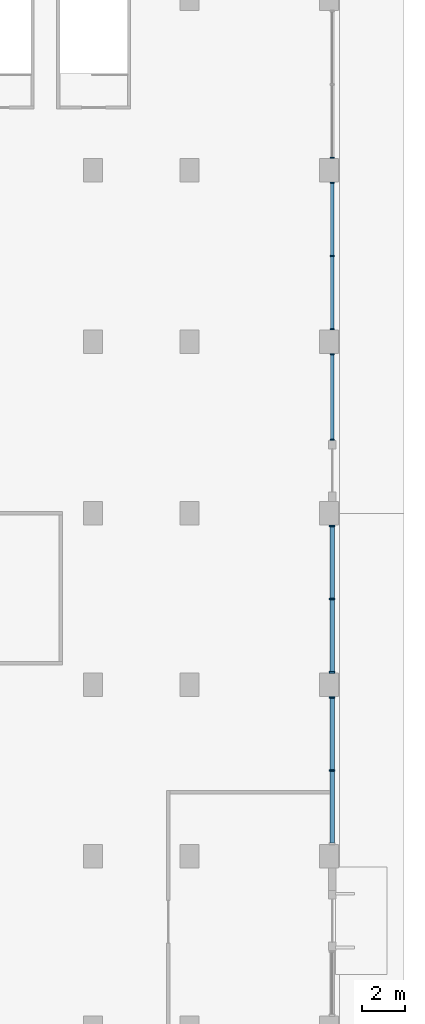
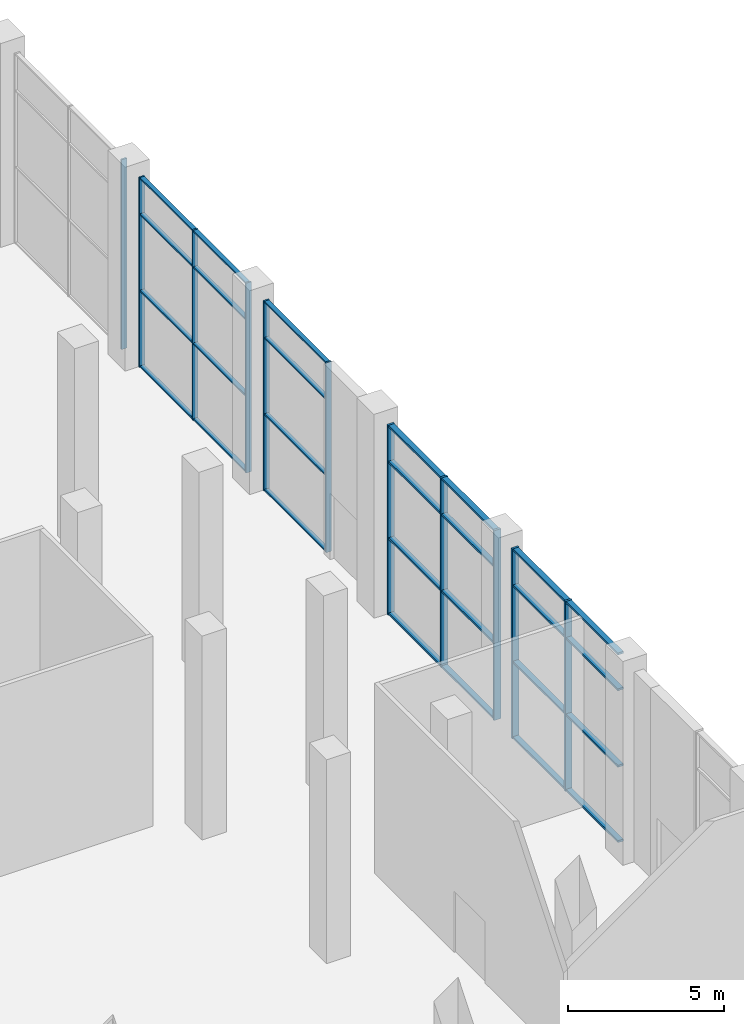
# One storey, part 7 of 33: 39 members, 5 elements without a shape of their own.
"""IFC4 building model written with IfcOpenShell, lengths in metres."""

from ifc_helpers import new_model, si_unit, direction, frame, origin, origin_2d, place, context, subcontext, project, spatial, rectangle, extrude, material, layer, layer_set, material_profile, profile_set, type_object, element, aggregate, save


model = new_model("IFC4")

# Units and contexts
model_context = context("Model", 3, precision=1e-05, world=origin(), true_north=direction((0.0, 1.0)))
body_context = subcontext(model_context, "Body", "Model", "MODEL_VIEW")
ifc_project = project(units=[si_unit("LENGTHUNIT", "METRE"), si_unit("AREAUNIT", "SQUARE_METRE"), si_unit("VOLUMEUNIT", "CUBIC_METRE"), si_unit("PLANEANGLEUNIT", "RADIAN"), si_unit("MASSUNIT", "GRAM", prefix="KILO")], contexts=[model_context])

# Site, building, storey
site_placement = place(None, origin())
site = spatial("IfcSite", under=ifc_project, at=site_placement, CompositionType="ELEMENT")
building_placement = place(site_placement, origin())
building = spatial("IfcBuilding", under=site, at=building_placement, Name="Alderwake Tower", CompositionType="ELEMENT")
storey_placement = place(building_placement, origin())
storey = spatial("IfcBuildingStorey", under=building, at=storey_placement, Name="L00", CompositionType="ELEMENT", Elevation=0.0)

# Curtain wall, members
ifc_material_1 = material(Name="Bronze tinted glass in aluminium frame", Category="aluminium")
ifc_layer_1 = layer(ifc_material_1, 0.25)
ifc_layer_set_1 = layer_set([ifc_layer_1], Name="Curtain wall CW1 podium shopfront")
curtain_wall_type_1 = type_object("IfcCurtainWallType", Name="Curtain wall CW1 podium shopfront", PredefinedType="NOTDEFINED", material=ifc_layer_set_1)
curtain_wall_1_placement = place(storey_placement, origin())
curtain_wall_1 = element("IfcCurtainWall", 1, at=curtain_wall_1_placement, inside=storey, type_object=curtain_wall_type_1, Name="Curtain wall 15", PredefinedType="NOTDEFINED")
ifc_material_2 = material(Name="Aluminium bronze anodised", Category="aluminium")
ifc_material_profile_1 = material_profile(ifc_material_2, rectangle(XDim=0.199951171875, YDim=0.06005859375, at=origin_2d()), Name="Mullion MUA 60x200")
ifc_profile_set_1 = profile_set([ifc_material_profile_1], Name="Aluminium bronze anodised")
member_type_1 = type_object("IfcMemberType", Name="Mullion MUA 60x200", PredefinedType="MULLION", material=ifc_profile_set_1)
member_1_placement = place(storey_placement, frame((84.64990234375, 83.429931640625, 0.0), z_axis=(0.0, 0.0, 1.0), x_axis=(-1.0, 0.0, 0.0)))
member_1 = element("IfcMember", 2, at=member_1_placement, type_object=member_type_1, Name="CW.15 mullion 1", PredefinedType="MULLION", context=body_context, shape_type="SweptSolid", body=[
    extrude(rectangle(XDim=0.199951171875, YDim=0.06005859375, at=origin_2d()), origin(), (0.0, 0.0, 1.0), 7.449951171875),
])
member_2_placement = place(storey_placement, frame((84.64990234375, 87.419921875, 0.0), z_axis=(0.0, 0.0, 1.0), x_axis=(-1.0, 0.0, 0.0)))
member_2 = element("IfcMember", 3, at=member_2_placement, type_object=member_type_1, Name="CW.15 mullion 2", PredefinedType="MULLION", context=body_context, shape_type="SweptSolid", body=[
    extrude(rectangle(XDim=0.199951171875, YDim=0.06005859375, at=origin_2d()), origin(), (0.0, 0.0, 1.0), 7.449951171875),
])

curtain_wall_2_placement = place(storey_placement, origin())
curtain_wall_2 = element("IfcCurtainWall", 4, at=curtain_wall_2_placement, inside=storey, type_object=curtain_wall_type_1, Name="Curtain wall 16", PredefinedType="NOTDEFINED")
member_3_placement = place(storey_placement, frame((84.64990234375, 88.580078125, 0.0), z_axis=(0.0, 0.0, 1.0), x_axis=(-1.0, 0.0, 0.0)))
member_3 = element("IfcMember", 5, at=member_3_placement, type_object=member_type_1, Name="CW.16 mullion 1", PredefinedType="MULLION", context=body_context, shape_type="SweptSolid", body=[
    extrude(rectangle(XDim=0.199951171875, YDim=0.06005859375, at=origin_2d()), origin(), (0.0, 0.0, 1.0), 7.449951171875),
])
member_4_placement = place(storey_placement, frame((84.64990234375, 92.0, 0.0), z_axis=(0.0, 0.0, 1.0), x_axis=(-1.0, 0.0, 0.0)))
member_4 = element("IfcMember", 6, at=member_4_placement, type_object=member_type_1, Name="CW.16 mullion 2", PredefinedType="MULLION", context=body_context, shape_type="SweptSolid", body=[
    extrude(rectangle(XDim=0.199951171875, YDim=0.06005859375, at=origin_2d()), origin(), (0.0, 0.0, 1.0), 7.449951171875),
])
member_5_placement = place(storey_placement, frame((84.64990234375, 95.419921875, 0.0), z_axis=(0.0, 0.0, 1.0), x_axis=(-1.0, 0.0, 0.0)))
member_5 = element("IfcMember", 7, at=member_5_placement, type_object=member_type_1, Name="CW.16 mullion 3", PredefinedType="MULLION", context=body_context, shape_type="SweptSolid", body=[
    extrude(rectangle(XDim=0.199951171875, YDim=0.06005859375, at=origin_2d()), origin(), (0.0, 0.0, 1.0), 7.449951171875),
])

# Curtain wall, member
curtain_wall_3_placement = place(storey_placement, origin())
curtain_wall_3 = element("IfcCurtainWall", 8, at=curtain_wall_3_placement, inside=storey, type_object=curtain_wall_type_1, Name="Curtain wall 17", PredefinedType="NOTDEFINED")
member_6_placement = place(storey_placement, frame((84.64990234375, 96.580078125, 0.0), z_axis=(0.0, 0.0, 1.0), x_axis=(-1.0, 0.0, 0.0)))
member_6 = element("IfcMember", 9, at=member_6_placement, type_object=member_type_1, Name="CW.17 mullion 1", PredefinedType="MULLION", context=body_context, shape_type="SweptSolid", body=[
    extrude(rectangle(XDim=0.199951171875, YDim=0.06005859375, at=origin_2d()), origin(), (0.0, 0.0, 1.0), 7.449951171875),
])
aggregate(curtain_wall_3, [member_6])

# Curtain wall, members
ifc_material_3 = material(Name="Bronze tinted glass in aluminium frame", Category="aluminium")
ifc_layer_2 = layer(ifc_material_3, 0.300048828125)
ifc_layer_set_2 = layer_set([ifc_layer_2], Name="Curtain wall CW2 station concourse wall")
curtain_wall_type_2 = type_object("IfcCurtainWallType", Name="Curtain wall CW2 station concourse wall", PredefinedType="NOTDEFINED", material=ifc_layer_set_2)
curtain_wall_4_placement = place(storey_placement, origin())
curtain_wall_4 = element("IfcCurtainWall", 10, at=curtain_wall_4_placement, inside=storey, type_object=curtain_wall_type_2, Name="Curtain wall 13", PredefinedType="NOTDEFINED")
ifc_material_4 = material(Name="Aluminium bronze anodised", Category="aluminium")
ifc_material_profile_2 = material_profile(ifc_material_4, rectangle(XDim=0.25, YDim=0.080078125, at=origin_2d()), Name="Mullion MUB 80x250")
ifc_profile_set_2 = profile_set([ifc_material_profile_2], Name="Aluminium bronze anodised")
member_type_2 = type_object("IfcMemberType", Name="Mullion MUB 80x250", PredefinedType="MULLION", material=ifc_profile_set_2)
member_7_placement = place(storey_placement, frame((84.64990234375, 68.0, 0.0), z_axis=(0.0, 0.0, 1.0), x_axis=(-1.0, 0.0, 0.0)))
member_7 = element("IfcMember", 11, at=member_7_placement, type_object=member_type_2, Name="CW.13 mullion 2", PredefinedType="MULLION", context=body_context, shape_type="SweptSolid", body=[
    extrude(rectangle(XDim=0.25, YDim=0.080078125, at=origin_2d()), origin(), (0.0, 0.0, 1.0), 7.449951171875),
])
member_8_placement = place(storey_placement, frame((84.64990234375, 71.409912109375, 0.0), z_axis=(0.0, 0.0, 1.0), x_axis=(-1.0, 0.0, 0.0)))
member_8 = element("IfcMember", 12, at=member_8_placement, type_object=member_type_2, Name="CW.13 mullion 3", PredefinedType="MULLION", context=body_context, shape_type="SweptSolid", body=[
    extrude(rectangle(XDim=0.25, YDim=0.080078125, at=origin_2d()), origin(), (0.0, 0.0, 1.0), 7.449951171875),
])

curtain_wall_5_placement = place(storey_placement, origin())
curtain_wall_5 = element("IfcCurtainWall", 13, at=curtain_wall_5_placement, inside=storey, type_object=curtain_wall_type_2, Name="Curtain wall 14", PredefinedType="NOTDEFINED")
member_9_placement = place(storey_placement, frame((84.64990234375, 72.590087890625, 0.0), z_axis=(0.0, 0.0, 1.0), x_axis=(-1.0, 0.0, 0.0)))
member_9 = element("IfcMember", 14, at=member_9_placement, type_object=member_type_2, Name="CW.14 mullion 1", PredefinedType="MULLION", context=body_context, shape_type="SweptSolid", body=[
    extrude(rectangle(XDim=0.25, YDim=0.080078125, at=origin_2d()), origin(), (0.0, 0.0, 1.0), 7.449951171875),
])
member_10_placement = place(storey_placement, frame((84.64990234375, 76.0, 0.0), z_axis=(0.0, 0.0, 1.0), x_axis=(-1.0, 0.0, 0.0)))
member_10 = element("IfcMember", 15, at=member_10_placement, type_object=member_type_2, Name="CW.14 mullion 2", PredefinedType="MULLION", context=body_context, shape_type="SweptSolid", body=[
    extrude(rectangle(XDim=0.25, YDim=0.080078125, at=origin_2d()), origin(), (0.0, 0.0, 1.0), 7.449951171875),
])
member_11_placement = place(storey_placement, frame((84.64990234375, 79.409912109375, 0.0), z_axis=(0.0, 0.0, 1.0), x_axis=(-1.0, 0.0, 0.0)))
member_11 = element("IfcMember", 16, at=member_11_placement, type_object=member_type_2, Name="CW.14 mullion 3", PredefinedType="MULLION", context=body_context, shape_type="SweptSolid", body=[
    extrude(rectangle(XDim=0.25, YDim=0.080078125, at=origin_2d()), origin(), (0.0, 0.0, 1.0), 7.449951171875),
])

# Member
ifc_material_5 = material(Name="Aluminium bronze anodised", Category="aluminium")
ifc_material_profile_3 = material_profile(ifc_material_5, rectangle(XDim=0.159912109375, YDim=0.06005859375, at=origin_2d()), Name="Transom TRA 60x160")
ifc_profile_set_3 = profile_set([ifc_material_profile_3], Name="Aluminium bronze anodised")
member_type_3 = type_object("IfcMemberType", Name="Transom TRA 60x160", PredefinedType="USERDEFINED", material=ifc_profile_set_3)
member_12_placement = place(storey_placement, frame((84.64990234375, 83.4599609375, 0.030029296875), z_axis=(0.0, 1.0, 0.0), x_axis=(-1.0, 0.0, 0.0)))
member_12 = element("IfcMember", 17, at=member_12_placement, type_object=member_type_3, Name="CW.15 transom 1.1", ObjectType="TRANSOM", PredefinedType="USERDEFINED", context=body_context, shape_type="SweptSolid", body=[
    extrude(rectangle(XDim=0.159912109375, YDim=0.06005859375, at=origin_2d()), origin(), (0.0, 0.0, 1.0), 3.929931640625),
])

member_13_placement = place(storey_placement, frame((84.64990234375, 83.4599609375, 3.0), z_axis=(0.0, 1.0, 0.0), x_axis=(-1.0, 0.0, 0.0)))
member_13 = element("IfcMember", 18, at=member_13_placement, type_object=member_type_3, Name="CW.15 transom 1.2", ObjectType="TRANSOM", PredefinedType="USERDEFINED", context=body_context, shape_type="SweptSolid", body=[
    extrude(rectangle(XDim=0.159912109375, YDim=0.06005859375, at=origin_2d()), origin(), (0.0, 0.0, 1.0), 3.929931640625),
])

member_14_placement = place(storey_placement, frame((84.64990234375, 83.4599609375, 6.0), z_axis=(0.0, 1.0, 0.0), x_axis=(-1.0, 0.0, 0.0)))
member_14 = element("IfcMember", 19, at=member_14_placement, type_object=member_type_3, Name="CW.15 transom 1.3", ObjectType="TRANSOM", PredefinedType="USERDEFINED", context=body_context, shape_type="SweptSolid", body=[
    extrude(rectangle(XDim=0.159912109375, YDim=0.06005859375, at=origin_2d()), origin(), (0.0, 0.0, 1.0), 3.929931640625),
])

member_15_placement = place(storey_placement, frame((84.64990234375, 83.4599609375, 7.419921875), z_axis=(0.0, 1.0, 0.0), x_axis=(-1.0, 0.0, 0.0)))
member_15 = element("IfcMember", 20, at=member_15_placement, type_object=member_type_3, Name="CW.15 transom 1.4", ObjectType="TRANSOM", PredefinedType="USERDEFINED", context=body_context, shape_type="SweptSolid", body=[
    extrude(rectangle(XDim=0.159912109375, YDim=0.06005859375, at=origin_2d()), origin(), (0.0, 0.0, 1.0), 3.929931640625),
])

aggregate(curtain_wall_1, [member_1, member_2, member_12, member_13, member_14, member_15])

member_16_placement = place(storey_placement, frame((84.64990234375, 88.610107421875, 0.030029296875), z_axis=(0.0, 1.0, 0.0), x_axis=(-1.0, 0.0, 0.0)))
member_16 = element("IfcMember", 21, at=member_16_placement, type_object=member_type_3, Name="CW.16 transom 1.1", ObjectType="TRANSOM", PredefinedType="USERDEFINED", context=body_context, shape_type="SweptSolid", body=[
    extrude(rectangle(XDim=0.159912109375, YDim=0.06005859375, at=origin_2d()), origin(), (0.0, 0.0, 1.0), 3.35986328125),
])

member_17_placement = place(storey_placement, frame((84.64990234375, 88.610107421875, 3.0), z_axis=(0.0, 1.0, 0.0), x_axis=(-1.0, 0.0, 0.0)))
member_17 = element("IfcMember", 22, at=member_17_placement, type_object=member_type_3, Name="CW.16 transom 1.2", ObjectType="TRANSOM", PredefinedType="USERDEFINED", context=body_context, shape_type="SweptSolid", body=[
    extrude(rectangle(XDim=0.159912109375, YDim=0.06005859375, at=origin_2d()), origin(), (0.0, 0.0, 1.0), 3.35986328125),
])

member_18_placement = place(storey_placement, frame((84.64990234375, 88.610107421875, 6.0), z_axis=(0.0, 1.0, 0.0), x_axis=(-1.0, 0.0, 0.0)))
member_18 = element("IfcMember", 23, at=member_18_placement, type_object=member_type_3, Name="CW.16 transom 1.3", ObjectType="TRANSOM", PredefinedType="USERDEFINED", context=body_context, shape_type="SweptSolid", body=[
    extrude(rectangle(XDim=0.159912109375, YDim=0.06005859375, at=origin_2d()), origin(), (0.0, 0.0, 1.0), 3.35986328125),
])

member_19_placement = place(storey_placement, frame((84.64990234375, 88.610107421875, 7.419921875), z_axis=(0.0, 1.0, 0.0), x_axis=(-1.0, 0.0, 0.0)))
member_19 = element("IfcMember", 24, at=member_19_placement, type_object=member_type_3, Name="CW.16 transom 1.4", ObjectType="TRANSOM", PredefinedType="USERDEFINED", context=body_context, shape_type="SweptSolid", body=[
    extrude(rectangle(XDim=0.159912109375, YDim=0.06005859375, at=origin_2d()), origin(), (0.0, 0.0, 1.0), 3.35986328125),
])

member_20_placement = place(storey_placement, frame((84.64990234375, 92.030029296875, 0.030029296875), z_axis=(0.0, 1.0, 0.0), x_axis=(-1.0, 0.0, 0.0)))
member_20 = element("IfcMember", 25, at=member_20_placement, type_object=member_type_3, Name="CW.16 transom 2.1", ObjectType="TRANSOM", PredefinedType="USERDEFINED", context=body_context, shape_type="SweptSolid", body=[
    extrude(rectangle(XDim=0.159912109375, YDim=0.06005859375, at=origin_2d()), origin(), (0.0, 0.0, 1.0), 3.35986328125),
])

member_21_placement = place(storey_placement, frame((84.64990234375, 92.030029296875, 3.0), z_axis=(0.0, 1.0, 0.0), x_axis=(-1.0, 0.0, 0.0)))
member_21 = element("IfcMember", 26, at=member_21_placement, type_object=member_type_3, Name="CW.16 transom 2.2", ObjectType="TRANSOM", PredefinedType="USERDEFINED", context=body_context, shape_type="SweptSolid", body=[
    extrude(rectangle(XDim=0.159912109375, YDim=0.06005859375, at=origin_2d()), origin(), (0.0, 0.0, 1.0), 3.35986328125),
])

member_22_placement = place(storey_placement, frame((84.64990234375, 92.030029296875, 6.0), z_axis=(0.0, 1.0, 0.0), x_axis=(-1.0, 0.0, 0.0)))
member_22 = element("IfcMember", 27, at=member_22_placement, type_object=member_type_3, Name="CW.16 transom 2.3", ObjectType="TRANSOM", PredefinedType="USERDEFINED", context=body_context, shape_type="SweptSolid", body=[
    extrude(rectangle(XDim=0.159912109375, YDim=0.06005859375, at=origin_2d()), origin(), (0.0, 0.0, 1.0), 3.35986328125),
])

member_23_placement = place(storey_placement, frame((84.64990234375, 92.030029296875, 7.419921875), z_axis=(0.0, 1.0, 0.0), x_axis=(-1.0, 0.0, 0.0)))
member_23 = element("IfcMember", 28, at=member_23_placement, type_object=member_type_3, Name="CW.16 transom 2.4", ObjectType="TRANSOM", PredefinedType="USERDEFINED", context=body_context, shape_type="SweptSolid", body=[
    extrude(rectangle(XDim=0.159912109375, YDim=0.06005859375, at=origin_2d()), origin(), (0.0, 0.0, 1.0), 3.35986328125),
])

aggregate(curtain_wall_2, [member_3, member_4, member_5, member_16, member_17, member_18, member_19, member_20, member_21, member_22, member_23])

ifc_material_6 = material(Name="Aluminium bronze anodised", Category="aluminium")
ifc_material_profile_4 = material_profile(ifc_material_6, rectangle(XDim=0.199951171875, YDim=0.080078125, at=origin_2d()), Name="Transom TRB 80x200")
ifc_profile_set_4 = profile_set([ifc_material_profile_4], Name="Aluminium bronze anodised")
member_type_4 = type_object("IfcMemberType", Name="Transom TRB 80x200", PredefinedType="USERDEFINED", material=ifc_profile_set_4)
member_24_placement = place(storey_placement, frame((84.64990234375, 64.6298828125, 0.0400390625), z_axis=(0.0, 1.0, 0.0), x_axis=(-1.0, 0.0, 0.0)))
member_24 = element("IfcMember", 29, at=member_24_placement, type_object=member_type_4, Name="CW.13 transom 1.1", ObjectType="TRANSOM", PredefinedType="USERDEFINED", context=body_context, shape_type="SweptSolid", body=[
    extrude(rectangle(XDim=0.199951171875, YDim=0.080078125, at=origin_2d()), origin(), (0.0, 0.0, 1.0), 3.330078125),
])

member_25_placement = place(storey_placement, frame((84.64990234375, 64.6298828125, 3.0), z_axis=(0.0, 1.0, 0.0), x_axis=(-1.0, 0.0, 0.0)))
member_25 = element("IfcMember", 30, at=member_25_placement, type_object=member_type_4, Name="CW.13 transom 1.2", ObjectType="TRANSOM", PredefinedType="USERDEFINED", context=body_context, shape_type="SweptSolid", body=[
    extrude(rectangle(XDim=0.199951171875, YDim=0.080078125, at=origin_2d()), origin(), (0.0, 0.0, 1.0), 3.330078125),
])

member_26_placement = place(storey_placement, frame((84.64990234375, 64.6298828125, 6.0), z_axis=(0.0, 1.0, 0.0), x_axis=(-1.0, 0.0, 0.0)))
member_26 = element("IfcMember", 31, at=member_26_placement, type_object=member_type_4, Name="CW.13 transom 1.3", ObjectType="TRANSOM", PredefinedType="USERDEFINED", context=body_context, shape_type="SweptSolid", body=[
    extrude(rectangle(XDim=0.199951171875, YDim=0.080078125, at=origin_2d()), origin(), (0.0, 0.0, 1.0), 3.330078125),
])

member_27_placement = place(storey_placement, frame((84.64990234375, 64.6298828125, 7.409912109375), z_axis=(0.0, 1.0, 0.0), x_axis=(-1.0, 0.0, 0.0)))
member_27 = element("IfcMember", 32, at=member_27_placement, type_object=member_type_4, Name="CW.13 transom 1.4", ObjectType="TRANSOM", PredefinedType="USERDEFINED", context=body_context, shape_type="SweptSolid", body=[
    extrude(rectangle(XDim=0.199951171875, YDim=0.080078125, at=origin_2d()), origin(), (0.0, 0.0, 1.0), 3.330078125),
])

member_28_placement = place(storey_placement, frame((84.64990234375, 68.0400390625, 0.0400390625), z_axis=(0.0, 1.0, 0.0), x_axis=(-1.0, 0.0, 0.0)))
member_28 = element("IfcMember", 33, at=member_28_placement, type_object=member_type_4, Name="CW.13 transom 2.1", ObjectType="TRANSOM", PredefinedType="USERDEFINED", context=body_context, shape_type="SweptSolid", body=[
    extrude(rectangle(XDim=0.199951171875, YDim=0.080078125, at=origin_2d()), origin(), (0.0, 0.0, 1.0), 3.330078125),
])

member_29_placement = place(storey_placement, frame((84.64990234375, 68.0400390625, 3.0), z_axis=(0.0, 1.0, 0.0), x_axis=(-1.0, 0.0, 0.0)))
member_29 = element("IfcMember", 34, at=member_29_placement, type_object=member_type_4, Name="CW.13 transom 2.2", ObjectType="TRANSOM", PredefinedType="USERDEFINED", context=body_context, shape_type="SweptSolid", body=[
    extrude(rectangle(XDim=0.199951171875, YDim=0.080078125, at=origin_2d()), origin(), (0.0, 0.0, 1.0), 3.330078125),
])

member_30_placement = place(storey_placement, frame((84.64990234375, 68.0400390625, 6.0), z_axis=(0.0, 1.0, 0.0), x_axis=(-1.0, 0.0, 0.0)))
member_30 = element("IfcMember", 35, at=member_30_placement, type_object=member_type_4, Name="CW.13 transom 2.3", ObjectType="TRANSOM", PredefinedType="USERDEFINED", context=body_context, shape_type="SweptSolid", body=[
    extrude(rectangle(XDim=0.199951171875, YDim=0.080078125, at=origin_2d()), origin(), (0.0, 0.0, 1.0), 3.330078125),
])

member_31_placement = place(storey_placement, frame((84.64990234375, 68.0400390625, 7.409912109375), z_axis=(0.0, 1.0, 0.0), x_axis=(-1.0, 0.0, 0.0)))
member_31 = element("IfcMember", 36, at=member_31_placement, type_object=member_type_4, Name="CW.13 transom 2.4", ObjectType="TRANSOM", PredefinedType="USERDEFINED", context=body_context, shape_type="SweptSolid", body=[
    extrude(rectangle(XDim=0.199951171875, YDim=0.080078125, at=origin_2d()), origin(), (0.0, 0.0, 1.0), 3.330078125),
])

aggregate(curtain_wall_4, [member_7, member_8, member_24, member_25, member_26, member_27, member_28, member_29, member_30, member_31])

member_32_placement = place(storey_placement, frame((84.64990234375, 72.6298828125, 0.0400390625), z_axis=(0.0, 1.0, 0.0), x_axis=(-1.0, 0.0, 0.0)))
member_32 = element("IfcMember", 37, at=member_32_placement, type_object=member_type_4, Name="CW.14 transom 1.1", ObjectType="TRANSOM", PredefinedType="USERDEFINED", context=body_context, shape_type="SweptSolid", body=[
    extrude(rectangle(XDim=0.199951171875, YDim=0.080078125, at=origin_2d()), origin(), (0.0, 0.0, 1.0), 3.330078125),
])

member_33_placement = place(storey_placement, frame((84.64990234375, 72.6298828125, 3.0), z_axis=(0.0, 1.0, 0.0), x_axis=(-1.0, 0.0, 0.0)))
member_33 = element("IfcMember", 38, at=member_33_placement, type_object=member_type_4, Name="CW.14 transom 1.2", ObjectType="TRANSOM", PredefinedType="USERDEFINED", context=body_context, shape_type="SweptSolid", body=[
    extrude(rectangle(XDim=0.199951171875, YDim=0.080078125, at=origin_2d()), origin(), (0.0, 0.0, 1.0), 3.330078125),
])

member_34_placement = place(storey_placement, frame((84.64990234375, 72.6298828125, 6.0), z_axis=(0.0, 1.0, 0.0), x_axis=(-1.0, 0.0, 0.0)))
member_34 = element("IfcMember", 39, at=member_34_placement, type_object=member_type_4, Name="CW.14 transom 1.3", ObjectType="TRANSOM", PredefinedType="USERDEFINED", context=body_context, shape_type="SweptSolid", body=[
    extrude(rectangle(XDim=0.199951171875, YDim=0.080078125, at=origin_2d()), origin(), (0.0, 0.0, 1.0), 3.330078125),
])

member_35_placement = place(storey_placement, frame((84.64990234375, 72.6298828125, 7.409912109375), z_axis=(0.0, 1.0, 0.0), x_axis=(-1.0, 0.0, 0.0)))
member_35 = element("IfcMember", 40, at=member_35_placement, type_object=member_type_4, Name="CW.14 transom 1.4", ObjectType="TRANSOM", PredefinedType="USERDEFINED", context=body_context, shape_type="SweptSolid", body=[
    extrude(rectangle(XDim=0.199951171875, YDim=0.080078125, at=origin_2d()), origin(), (0.0, 0.0, 1.0), 3.330078125),
])

member_36_placement = place(storey_placement, frame((84.64990234375, 76.0400390625, 0.0400390625), z_axis=(0.0, 1.0, 0.0), x_axis=(-1.0, 0.0, 0.0)))
member_36 = element("IfcMember", 41, at=member_36_placement, type_object=member_type_4, Name="CW.14 transom 2.1", ObjectType="TRANSOM", PredefinedType="USERDEFINED", context=body_context, shape_type="SweptSolid", body=[
    extrude(rectangle(XDim=0.199951171875, YDim=0.080078125, at=origin_2d()), origin(), (0.0, 0.0, 1.0), 3.330078125),
])

member_37_placement = place(storey_placement, frame((84.64990234375, 76.0400390625, 3.0), z_axis=(0.0, 1.0, 0.0), x_axis=(-1.0, 0.0, 0.0)))
member_37 = element("IfcMember", 42, at=member_37_placement, type_object=member_type_4, Name="CW.14 transom 2.2", ObjectType="TRANSOM", PredefinedType="USERDEFINED", context=body_context, shape_type="SweptSolid", body=[
    extrude(rectangle(XDim=0.199951171875, YDim=0.080078125, at=origin_2d()), origin(), (0.0, 0.0, 1.0), 3.330078125),
])

member_38_placement = place(storey_placement, frame((84.64990234375, 76.0400390625, 6.0), z_axis=(0.0, 1.0, 0.0), x_axis=(-1.0, 0.0, 0.0)))
member_38 = element("IfcMember", 43, at=member_38_placement, type_object=member_type_4, Name="CW.14 transom 2.3", ObjectType="TRANSOM", PredefinedType="USERDEFINED", context=body_context, shape_type="SweptSolid", body=[
    extrude(rectangle(XDim=0.199951171875, YDim=0.080078125, at=origin_2d()), origin(), (0.0, 0.0, 1.0), 3.330078125),
])

member_39_placement = place(storey_placement, frame((84.64990234375, 76.0400390625, 7.409912109375), z_axis=(0.0, 1.0, 0.0), x_axis=(-1.0, 0.0, 0.0)))
member_39 = element("IfcMember", 44, at=member_39_placement, type_object=member_type_4, Name="CW.14 transom 2.4", ObjectType="TRANSOM", PredefinedType="USERDEFINED", context=body_context, shape_type="SweptSolid", body=[
    extrude(rectangle(XDim=0.199951171875, YDim=0.080078125, at=origin_2d()), origin(), (0.0, 0.0, 1.0), 3.330078125),
])

aggregate(curtain_wall_5, [member_9, member_10, member_11, member_32, member_33, member_34, member_35, member_36, member_37, member_38, member_39])

save(model, "model.ifc")
